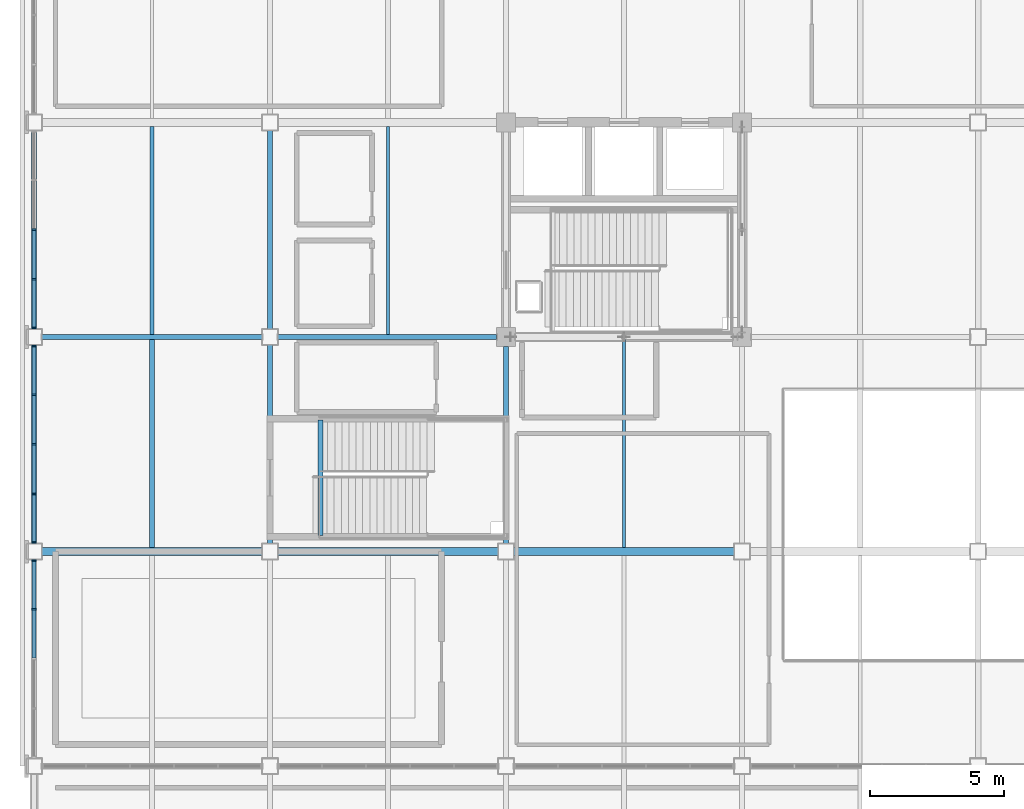
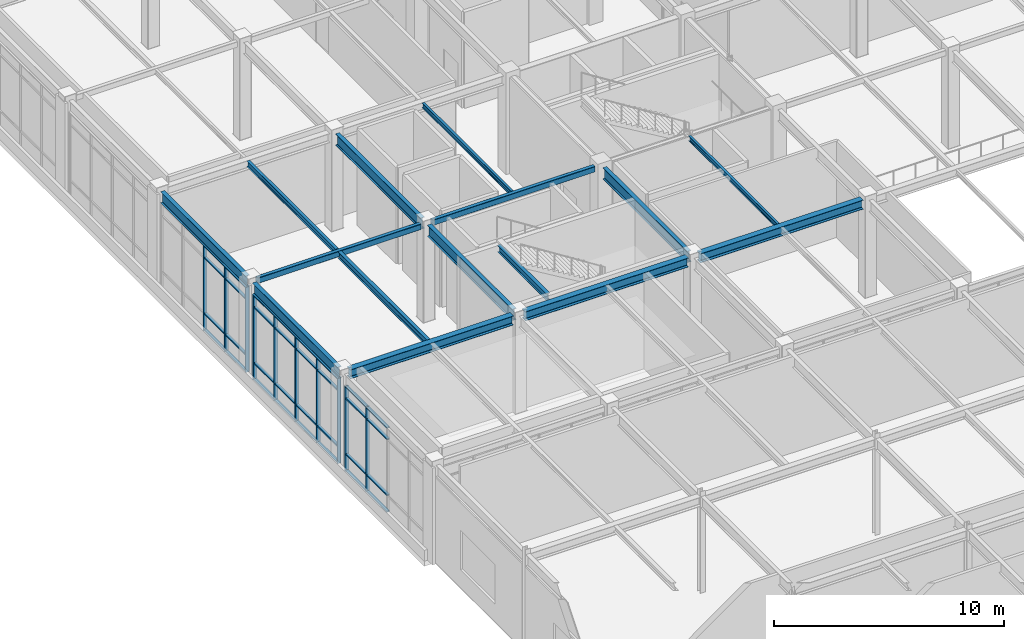
# One storey, part 36 of 184: 42 members, 15 beams, 3 elements without a shape of their own.
"""IFC4 building model written with IfcOpenShell, lengths in metres."""

from ifc_helpers import new_model, si_unit, direction, frame, origin, origin_2d, place, context, subcontext, project, spatial, rectangle, hollow_rectangle, i_section, extrude, material, material_profile, profile_set, type_object, element, aggregate, save


model = new_model("IFC4")

# Units and contexts
model_context = context("Model", 3, precision=1e-05, world=origin(), true_north=direction((0.0, 1.0)))
body_context = subcontext(model_context, "Body", "Model", "MODEL_VIEW")
ifc_project = project(units=[si_unit("LENGTHUNIT", "METRE"), si_unit("AREAUNIT", "SQUARE_METRE"), si_unit("VOLUMEUNIT", "CUBIC_METRE"), si_unit("PLANEANGLEUNIT", "RADIAN"), si_unit("MASSUNIT", "GRAM", prefix="KILO")], contexts=[model_context])

# Site, building, storey
site_placement = place(None, origin())
site = spatial("IfcSite", under=ifc_project, at=site_placement, CompositionType="ELEMENT")
building_placement = place(site_placement, origin())
building = spatial("IfcBuilding", under=site, at=building_placement, Name="Zhaolan Boulevard Law Courts", CompositionType="ELEMENT")
storey_placement = place(building_placement, frame((0.0, 0.0, 5.39990234375)))
storey = spatial("IfcBuildingStorey", under=building, at=storey_placement, Name="L01", CompositionType="ELEMENT", Elevation=5.39990234375)

# Curtain wall, members
ifc_material_1 = material(Name="Thermally broken aluminium and low-E glazing", Category="aluminium")
curtain_wall_type_1 = type_object("IfcCurtainWallType", Name="CURTAIN WALL M19", PredefinedType="USERDEFINED", material=ifc_material_1)
curtain_wall_1_placement = place(storey_placement, origin())
curtain_wall_1 = element("IfcCurtainWall", 1, at=curtain_wall_1_placement, inside=storey, type_object=curtain_wall_type_1, Name="Curtain Wall CW-L01-139", ObjectType="CURTAIN WALL", PredefinedType="USERDEFINED")
ifc_material_2 = material(Name="Fluorocarbon-coated aluminium 6063-T6", Category="aluminium")
ifc_material_profile_1 = material_profile(ifc_material_2, rectangle(XDim=0.179931640625, YDim=0.06494140625, at=origin_2d()), Name="AL65x180")
ifc_profile_set_1 = profile_set([ifc_material_profile_1], Name="Fluorocarbon-coated aluminium 6063-T6")
member_type_1 = type_object("IfcMemberType", Name="CWMULLION 65X180", PredefinedType="MULLION", material=ifc_profile_set_1)
member_1_placement = place(storey_placement, frame((0.0, 37.66552734375, 0.0), z_axis=(0.0, 0.0, 1.0), x_axis=(1.0, 0.0, 0.0)))
member_1 = element("IfcMember", 2, at=member_1_placement, type_object=member_type_1, Name="CW-L01-139 mullion 1", PredefinedType="MULLION", context=body_context, shape_type="SweptSolid", body=[
    extrude(rectangle(XDim=0.179931640625, YDim=0.06494140625, at=origin_2d()), origin(), (0.0, 0.0, 1.0), 4.523193359375),
])
member_2_placement = place(storey_placement, frame((0.0, 35.84912109375, 0.0), z_axis=(0.0, 0.0, 1.0), x_axis=(1.0, 0.0, 0.0)))
member_2 = element("IfcMember", 3, at=member_2_placement, type_object=member_type_1, Name="CW-L01-139 mullion 2", PredefinedType="MULLION", context=body_context, shape_type="SweptSolid", body=[
    extrude(rectangle(XDim=0.179931640625, YDim=0.06494140625, at=origin_2d()), origin(), (0.0, 0.0, 1.0), 4.523193359375),
])

ifc_material_3 = material(Name="Thermally broken aluminium and low-E glazing", Category="aluminium")
curtain_wall_type_2 = type_object("IfcCurtainWallType", Name="CURTAIN WALL M20", PredefinedType="USERDEFINED", material=ifc_material_3)
curtain_wall_2_placement = place(storey_placement, origin())
curtain_wall_2 = element("IfcCurtainWall", 4, at=curtain_wall_2_placement, inside=storey, type_object=curtain_wall_type_2, Name="Curtain Wall CW-L01-140", ObjectType="CURTAIN WALL", PredefinedType="USERDEFINED")
member_3_placement = place(storey_placement, frame((0.0, 45.66552734375, 0.0), z_axis=(0.0, 0.0, 1.0), x_axis=(1.0, 0.0, 0.0)))
member_3 = element("IfcMember", 5, at=member_3_placement, type_object=member_type_1, Name="CW-L01-140 mullion 1", PredefinedType="MULLION", context=body_context, shape_type="SweptSolid", body=[
    extrude(rectangle(XDim=0.179931640625, YDim=0.06494140625, at=origin_2d()), origin(), (0.0, 0.0, 1.0), 4.523193359375),
])
member_4_placement = place(storey_placement, frame((0.0, 43.84912109375, 0.0), z_axis=(0.0, 0.0, 1.0), x_axis=(1.0, 0.0, 0.0)))
member_4 = element("IfcMember", 6, at=member_4_placement, type_object=member_type_1, Name="CW-L01-140 mullion 2", PredefinedType="MULLION", context=body_context, shape_type="SweptSolid", body=[
    extrude(rectangle(XDim=0.179931640625, YDim=0.06494140625, at=origin_2d()), origin(), (0.0, 0.0, 1.0), 4.523193359375),
])
member_5_placement = place(storey_placement, frame((0.0, 42.0, 0.0), z_axis=(0.0, 0.0, 1.0), x_axis=(1.0, 0.0, 0.0)))
member_5 = element("IfcMember", 7, at=member_5_placement, type_object=member_type_1, Name="CW-L01-140 mullion 3", PredefinedType="MULLION", context=body_context, shape_type="SweptSolid", body=[
    extrude(rectangle(XDim=0.179931640625, YDim=0.06494140625, at=origin_2d()), origin(), (0.0, 0.0, 1.0), 4.523193359375),
])
member_6_placement = place(storey_placement, frame((0.0, 40.15087890625, 0.0), z_axis=(0.0, 0.0, 1.0), x_axis=(1.0, 0.0, 0.0)))
member_6 = element("IfcMember", 8, at=member_6_placement, type_object=member_type_1, Name="CW-L01-140 mullion 4", PredefinedType="MULLION", context=body_context, shape_type="SweptSolid", body=[
    extrude(rectangle(XDim=0.179931640625, YDim=0.06494140625, at=origin_2d()), origin(), (0.0, 0.0, 1.0), 4.523193359375),
])
member_7_placement = place(storey_placement, frame((0.0, 38.33447265625, 0.0), z_axis=(0.0, 0.0, 1.0), x_axis=(1.0, 0.0, 0.0)))
member_7 = element("IfcMember", 9, at=member_7_placement, type_object=member_type_1, Name="CW-L01-140 mullion 5", PredefinedType="MULLION", context=body_context, shape_type="SweptSolid", body=[
    extrude(rectangle(XDim=0.179931640625, YDim=0.06494140625, at=origin_2d()), origin(), (0.0, 0.0, 1.0), 4.523193359375),
])

ifc_material_4 = material(Name="Thermally broken aluminium and low-E glazing", Category="aluminium")
curtain_wall_type_3 = type_object("IfcCurtainWallType", Name="CURTAIN WALL M21", PredefinedType="USERDEFINED", material=ifc_material_4)
curtain_wall_3_placement = place(storey_placement, origin())
curtain_wall_3 = element("IfcCurtainWall", 10, at=curtain_wall_3_placement, inside=storey, type_object=curtain_wall_type_3, Name="Curtain Wall CW-L01-141", ObjectType="CURTAIN WALL", PredefinedType="USERDEFINED")
member_8_placement = place(storey_placement, frame((0.0, 50.0, 0.0), z_axis=(0.0, 0.0, 1.0), x_axis=(1.0, 0.0, 0.0)))
member_8 = element("IfcMember", 11, at=member_8_placement, type_object=member_type_1, Name="CW-L01-141 mullion 3", PredefinedType="MULLION", context=body_context, shape_type="SweptSolid", body=[
    extrude(rectangle(XDim=0.179931640625, YDim=0.06494140625, at=origin_2d()), origin(), (0.0, 0.0, 1.0), 4.523193359375),
])
member_9_placement = place(storey_placement, frame((0.0, 48.15087890625, 0.0), z_axis=(0.0, 0.0, 1.0), x_axis=(1.0, 0.0, 0.0)))
member_9 = element("IfcMember", 12, at=member_9_placement, type_object=member_type_1, Name="CW-L01-141 mullion 4", PredefinedType="MULLION", context=body_context, shape_type="SweptSolid", body=[
    extrude(rectangle(XDim=0.179931640625, YDim=0.06494140625, at=origin_2d()), origin(), (0.0, 0.0, 1.0), 4.523193359375),
])
member_10_placement = place(storey_placement, frame((0.0, 46.33447265625, 0.0), z_axis=(0.0, 0.0, 1.0), x_axis=(1.0, 0.0, 0.0)))
member_10 = element("IfcMember", 13, at=member_10_placement, type_object=member_type_1, Name="CW-L01-141 mullion 5", PredefinedType="MULLION", context=body_context, shape_type="SweptSolid", body=[
    extrude(rectangle(XDim=0.179931640625, YDim=0.06494140625, at=origin_2d()), origin(), (0.0, 0.0, 1.0), 4.523193359375),
])

# Member
ifc_material_5 = material(Name="Fluorocarbon-coated aluminium 6063-T6", Category="aluminium")
ifc_material_profile_2 = material_profile(ifc_material_5, rectangle(XDim=0.139892578125, YDim=0.06494140625, at=origin_2d()), Name="AL65x140")
ifc_profile_set_2 = profile_set([ifc_material_profile_2], Name="Fluorocarbon-coated aluminium 6063-T6")
member_type_2 = type_object("IfcMemberType", Name="CWTRANSOM 65X140", PredefinedType="USERDEFINED", material=ifc_profile_set_2)
member_11_placement = place(storey_placement, frame((0.0, 37.633056640625, 0.03271484375), z_axis=(0.0, -1.0, 0.0), x_axis=(1.0, 0.0, 0.0)))
member_11 = element("IfcMember", 14, at=member_11_placement, type_object=member_type_2, Name="CW-L01-139 transom 1.1", ObjectType="TRANSOM", PredefinedType="USERDEFINED", context=body_context, shape_type="SweptSolid", body=[
    extrude(rectangle(XDim=0.139892578125, YDim=0.06494140625, at=origin_2d()), origin(), (0.0, 0.0, 1.0), 1.75146484375),
])

member_12_placement = place(storey_placement, frame((0.0, 37.633056640625, 0.900146484375), z_axis=(0.0, -1.0, 0.0), x_axis=(1.0, 0.0, 0.0)))
member_12 = element("IfcMember", 15, at=member_12_placement, type_object=member_type_2, Name="CW-L01-139 transom 1.2", ObjectType="TRANSOM", PredefinedType="USERDEFINED", context=body_context, shape_type="SweptSolid", body=[
    extrude(rectangle(XDim=0.139892578125, YDim=0.06494140625, at=origin_2d()), origin(), (0.0, 0.0, 1.0), 1.75146484375),
])

member_13_placement = place(storey_placement, frame((0.0, 37.633056640625, 3.873046875), z_axis=(0.0, -1.0, 0.0), x_axis=(1.0, 0.0, 0.0)))
member_13 = element("IfcMember", 16, at=member_13_placement, type_object=member_type_2, Name="CW-L01-139 transom 1.3", ObjectType="TRANSOM", PredefinedType="USERDEFINED", context=body_context, shape_type="SweptSolid", body=[
    extrude(rectangle(XDim=0.139892578125, YDim=0.06494140625, at=origin_2d()), origin(), (0.0, 0.0, 1.0), 1.75146484375),
])

member_14_placement = place(storey_placement, frame((0.0, 37.633056640625, 4.490478515625), z_axis=(0.0, -1.0, 0.0), x_axis=(1.0, 0.0, 0.0)))
member_14 = element("IfcMember", 17, at=member_14_placement, type_object=member_type_2, Name="CW-L01-139 transom 1.4", ObjectType="TRANSOM", PredefinedType="USERDEFINED", context=body_context, shape_type="SweptSolid", body=[
    extrude(rectangle(XDim=0.139892578125, YDim=0.06494140625, at=origin_2d()), origin(), (0.0, 0.0, 1.0), 1.75146484375),
])

member_15_placement = place(storey_placement, frame((0.0, 35.81640625, 0.03271484375), z_axis=(0.0, -1.0, 0.0), x_axis=(1.0, 0.0, 0.0)))
member_15 = element("IfcMember", 18, at=member_15_placement, type_object=member_type_2, Name="CW-L01-139 transom 2.1", ObjectType="TRANSOM", PredefinedType="USERDEFINED", context=body_context, shape_type="SweptSolid", body=[
    extrude(rectangle(XDim=0.139892578125, YDim=0.06494140625, at=origin_2d()), origin(), (0.0, 0.0, 1.0), 1.783935546875),
])

member_16_placement = place(storey_placement, frame((0.0, 35.81640625, 0.900146484375), z_axis=(0.0, -1.0, 0.0), x_axis=(1.0, 0.0, 0.0)))
member_16 = element("IfcMember", 19, at=member_16_placement, type_object=member_type_2, Name="CW-L01-139 transom 2.2", ObjectType="TRANSOM", PredefinedType="USERDEFINED", context=body_context, shape_type="SweptSolid", body=[
    extrude(rectangle(XDim=0.139892578125, YDim=0.06494140625, at=origin_2d()), origin(), (0.0, 0.0, 1.0), 1.783935546875),
])

member_17_placement = place(storey_placement, frame((0.0, 35.81640625, 3.873046875), z_axis=(0.0, -1.0, 0.0), x_axis=(1.0, 0.0, 0.0)))
member_17 = element("IfcMember", 20, at=member_17_placement, type_object=member_type_2, Name="CW-L01-139 transom 2.3", ObjectType="TRANSOM", PredefinedType="USERDEFINED", context=body_context, shape_type="SweptSolid", body=[
    extrude(rectangle(XDim=0.139892578125, YDim=0.06494140625, at=origin_2d()), origin(), (0.0, 0.0, 1.0), 1.783935546875),
])

member_18_placement = place(storey_placement, frame((0.0, 35.81640625, 4.490478515625), z_axis=(0.0, -1.0, 0.0), x_axis=(1.0, 0.0, 0.0)))
member_18 = element("IfcMember", 21, at=member_18_placement, type_object=member_type_2, Name="CW-L01-139 transom 2.4", ObjectType="TRANSOM", PredefinedType="USERDEFINED", context=body_context, shape_type="SweptSolid", body=[
    extrude(rectangle(XDim=0.139892578125, YDim=0.06494140625, at=origin_2d()), origin(), (0.0, 0.0, 1.0), 1.783935546875),
])

aggregate(curtain_wall_1, [member_1, member_2, member_11, member_12, member_13, member_14, member_15, member_16, member_17, member_18])

member_19_placement = place(storey_placement, frame((0.0, 45.633056640625, 0.03271484375), z_axis=(0.0, -1.0, 0.0), x_axis=(1.0, 0.0, 0.0)))
member_19 = element("IfcMember", 22, at=member_19_placement, type_object=member_type_2, Name="CW-L01-140 transom 1.1", ObjectType="TRANSOM", PredefinedType="USERDEFINED", context=body_context, shape_type="SweptSolid", body=[
    extrude(rectangle(XDim=0.139892578125, YDim=0.06494140625, at=origin_2d()), origin(), (0.0, 0.0, 1.0), 1.75146484375),
])

member_20_placement = place(storey_placement, frame((0.0, 45.633056640625, 0.900146484375), z_axis=(0.0, -1.0, 0.0), x_axis=(1.0, 0.0, 0.0)))
member_20 = element("IfcMember", 23, at=member_20_placement, type_object=member_type_2, Name="CW-L01-140 transom 1.2", ObjectType="TRANSOM", PredefinedType="USERDEFINED", context=body_context, shape_type="SweptSolid", body=[
    extrude(rectangle(XDim=0.139892578125, YDim=0.06494140625, at=origin_2d()), origin(), (0.0, 0.0, 1.0), 1.75146484375),
])

member_21_placement = place(storey_placement, frame((0.0, 45.633056640625, 3.873046875), z_axis=(0.0, -1.0, 0.0), x_axis=(1.0, 0.0, 0.0)))
member_21 = element("IfcMember", 24, at=member_21_placement, type_object=member_type_2, Name="CW-L01-140 transom 1.3", ObjectType="TRANSOM", PredefinedType="USERDEFINED", context=body_context, shape_type="SweptSolid", body=[
    extrude(rectangle(XDim=0.139892578125, YDim=0.06494140625, at=origin_2d()), origin(), (0.0, 0.0, 1.0), 1.75146484375),
])

member_22_placement = place(storey_placement, frame((0.0, 45.633056640625, 4.490478515625), z_axis=(0.0, -1.0, 0.0), x_axis=(1.0, 0.0, 0.0)))
member_22 = element("IfcMember", 25, at=member_22_placement, type_object=member_type_2, Name="CW-L01-140 transom 1.4", ObjectType="TRANSOM", PredefinedType="USERDEFINED", context=body_context, shape_type="SweptSolid", body=[
    extrude(rectangle(XDim=0.139892578125, YDim=0.06494140625, at=origin_2d()), origin(), (0.0, 0.0, 1.0), 1.75146484375),
])

member_23_placement = place(storey_placement, frame((0.0, 43.81640625, 0.03271484375), z_axis=(0.0, -1.0, 0.0), x_axis=(1.0, 0.0, 0.0)))
member_23 = element("IfcMember", 26, at=member_23_placement, type_object=member_type_2, Name="CW-L01-140 transom 2.1", ObjectType="TRANSOM", PredefinedType="USERDEFINED", context=body_context, shape_type="SweptSolid", body=[
    extrude(rectangle(XDim=0.139892578125, YDim=0.06494140625, at=origin_2d()), origin(), (0.0, 0.0, 1.0), 1.783935546875),
])

member_24_placement = place(storey_placement, frame((0.0, 43.81640625, 0.900146484375), z_axis=(0.0, -1.0, 0.0), x_axis=(1.0, 0.0, 0.0)))
member_24 = element("IfcMember", 27, at=member_24_placement, type_object=member_type_2, Name="CW-L01-140 transom 2.2", ObjectType="TRANSOM", PredefinedType="USERDEFINED", context=body_context, shape_type="SweptSolid", body=[
    extrude(rectangle(XDim=0.139892578125, YDim=0.06494140625, at=origin_2d()), origin(), (0.0, 0.0, 1.0), 1.783935546875),
])

member_25_placement = place(storey_placement, frame((0.0, 43.81640625, 3.873046875), z_axis=(0.0, -1.0, 0.0), x_axis=(1.0, 0.0, 0.0)))
member_25 = element("IfcMember", 28, at=member_25_placement, type_object=member_type_2, Name="CW-L01-140 transom 2.3", ObjectType="TRANSOM", PredefinedType="USERDEFINED", context=body_context, shape_type="SweptSolid", body=[
    extrude(rectangle(XDim=0.139892578125, YDim=0.06494140625, at=origin_2d()), origin(), (0.0, 0.0, 1.0), 1.783935546875),
])

member_26_placement = place(storey_placement, frame((0.0, 43.81640625, 4.490478515625), z_axis=(0.0, -1.0, 0.0), x_axis=(1.0, 0.0, 0.0)))
member_26 = element("IfcMember", 29, at=member_26_placement, type_object=member_type_2, Name="CW-L01-140 transom 2.4", ObjectType="TRANSOM", PredefinedType="USERDEFINED", context=body_context, shape_type="SweptSolid", body=[
    extrude(rectangle(XDim=0.139892578125, YDim=0.06494140625, at=origin_2d()), origin(), (0.0, 0.0, 1.0), 1.783935546875),
])

member_27_placement = place(storey_placement, frame((0.0, 41.967529296875, 0.03271484375), z_axis=(0.0, -1.0, 0.0), x_axis=(1.0, 0.0, 0.0)))
member_27 = element("IfcMember", 30, at=member_27_placement, type_object=member_type_2, Name="CW-L01-140 transom 3.1", ObjectType="TRANSOM", PredefinedType="USERDEFINED", context=body_context, shape_type="SweptSolid", body=[
    extrude(rectangle(XDim=0.139892578125, YDim=0.06494140625, at=origin_2d()), origin(), (0.0, 0.0, 1.0), 1.783935546875),
])

member_28_placement = place(storey_placement, frame((0.0, 41.967529296875, 0.900146484375), z_axis=(0.0, -1.0, 0.0), x_axis=(1.0, 0.0, 0.0)))
member_28 = element("IfcMember", 31, at=member_28_placement, type_object=member_type_2, Name="CW-L01-140 transom 3.2", ObjectType="TRANSOM", PredefinedType="USERDEFINED", context=body_context, shape_type="SweptSolid", body=[
    extrude(rectangle(XDim=0.139892578125, YDim=0.06494140625, at=origin_2d()), origin(), (0.0, 0.0, 1.0), 1.783935546875),
])

member_29_placement = place(storey_placement, frame((0.0, 41.967529296875, 3.873046875), z_axis=(0.0, -1.0, 0.0), x_axis=(1.0, 0.0, 0.0)))
member_29 = element("IfcMember", 32, at=member_29_placement, type_object=member_type_2, Name="CW-L01-140 transom 3.3", ObjectType="TRANSOM", PredefinedType="USERDEFINED", context=body_context, shape_type="SweptSolid", body=[
    extrude(rectangle(XDim=0.139892578125, YDim=0.06494140625, at=origin_2d()), origin(), (0.0, 0.0, 1.0), 1.783935546875),
])

member_30_placement = place(storey_placement, frame((0.0, 41.967529296875, 4.490478515625), z_axis=(0.0, -1.0, 0.0), x_axis=(1.0, 0.0, 0.0)))
member_30 = element("IfcMember", 33, at=member_30_placement, type_object=member_type_2, Name="CW-L01-140 transom 3.4", ObjectType="TRANSOM", PredefinedType="USERDEFINED", context=body_context, shape_type="SweptSolid", body=[
    extrude(rectangle(XDim=0.139892578125, YDim=0.06494140625, at=origin_2d()), origin(), (0.0, 0.0, 1.0), 1.783935546875),
])

member_31_placement = place(storey_placement, frame((0.0, 40.118408203125, 0.03271484375), z_axis=(0.0, -1.0, 0.0), x_axis=(1.0, 0.0, 0.0)))
member_31 = element("IfcMember", 34, at=member_31_placement, type_object=member_type_2, Name="CW-L01-140 transom 4.1", ObjectType="TRANSOM", PredefinedType="USERDEFINED", context=body_context, shape_type="SweptSolid", body=[
    extrude(rectangle(XDim=0.139892578125, YDim=0.06494140625, at=origin_2d()), origin(), (0.0, 0.0, 1.0), 1.75146484375),
])

member_32_placement = place(storey_placement, frame((0.0, 40.118408203125, 0.900146484375), z_axis=(0.0, -1.0, 0.0), x_axis=(1.0, 0.0, 0.0)))
member_32 = element("IfcMember", 35, at=member_32_placement, type_object=member_type_2, Name="CW-L01-140 transom 4.2", ObjectType="TRANSOM", PredefinedType="USERDEFINED", context=body_context, shape_type="SweptSolid", body=[
    extrude(rectangle(XDim=0.139892578125, YDim=0.06494140625, at=origin_2d()), origin(), (0.0, 0.0, 1.0), 1.75146484375),
])

member_33_placement = place(storey_placement, frame((0.0, 40.118408203125, 3.873046875), z_axis=(0.0, -1.0, 0.0), x_axis=(1.0, 0.0, 0.0)))
member_33 = element("IfcMember", 36, at=member_33_placement, type_object=member_type_2, Name="CW-L01-140 transom 4.3", ObjectType="TRANSOM", PredefinedType="USERDEFINED", context=body_context, shape_type="SweptSolid", body=[
    extrude(rectangle(XDim=0.139892578125, YDim=0.06494140625, at=origin_2d()), origin(), (0.0, 0.0, 1.0), 1.75146484375),
])

member_34_placement = place(storey_placement, frame((0.0, 40.118408203125, 4.490478515625), z_axis=(0.0, -1.0, 0.0), x_axis=(1.0, 0.0, 0.0)))
member_34 = element("IfcMember", 37, at=member_34_placement, type_object=member_type_2, Name="CW-L01-140 transom 4.4", ObjectType="TRANSOM", PredefinedType="USERDEFINED", context=body_context, shape_type="SweptSolid", body=[
    extrude(rectangle(XDim=0.139892578125, YDim=0.06494140625, at=origin_2d()), origin(), (0.0, 0.0, 1.0), 1.75146484375),
])

aggregate(curtain_wall_2, [member_3, member_4, member_5, member_6, member_7, member_19, member_20, member_21, member_22, member_23, member_24, member_25, member_26, member_27, member_28, member_29, member_30, member_31, member_32, member_33, member_34])

member_35_placement = place(storey_placement, frame((0.0, 49.967529296875, 0.03271484375), z_axis=(0.0, -1.0, 0.0), x_axis=(1.0, 0.0, 0.0)))
member_35 = element("IfcMember", 38, at=member_35_placement, type_object=member_type_2, Name="CW-L01-141 transom 3.1", ObjectType="TRANSOM", PredefinedType="USERDEFINED", context=body_context, shape_type="SweptSolid", body=[
    extrude(rectangle(XDim=0.139892578125, YDim=0.06494140625, at=origin_2d()), origin(), (0.0, 0.0, 1.0), 1.783935546875),
])

member_36_placement = place(storey_placement, frame((0.0, 49.967529296875, 0.900146484375), z_axis=(0.0, -1.0, 0.0), x_axis=(1.0, 0.0, 0.0)))
member_36 = element("IfcMember", 39, at=member_36_placement, type_object=member_type_2, Name="CW-L01-141 transom 3.2", ObjectType="TRANSOM", PredefinedType="USERDEFINED", context=body_context, shape_type="SweptSolid", body=[
    extrude(rectangle(XDim=0.139892578125, YDim=0.06494140625, at=origin_2d()), origin(), (0.0, 0.0, 1.0), 1.783935546875),
])

member_37_placement = place(storey_placement, frame((0.0, 49.967529296875, 3.873046875), z_axis=(0.0, -1.0, 0.0), x_axis=(1.0, 0.0, 0.0)))
member_37 = element("IfcMember", 40, at=member_37_placement, type_object=member_type_2, Name="CW-L01-141 transom 3.3", ObjectType="TRANSOM", PredefinedType="USERDEFINED", context=body_context, shape_type="SweptSolid", body=[
    extrude(rectangle(XDim=0.139892578125, YDim=0.06494140625, at=origin_2d()), origin(), (0.0, 0.0, 1.0), 1.783935546875),
])

member_38_placement = place(storey_placement, frame((0.0, 49.967529296875, 4.490478515625), z_axis=(0.0, -1.0, 0.0), x_axis=(1.0, 0.0, 0.0)))
member_38 = element("IfcMember", 41, at=member_38_placement, type_object=member_type_2, Name="CW-L01-141 transom 3.4", ObjectType="TRANSOM", PredefinedType="USERDEFINED", context=body_context, shape_type="SweptSolid", body=[
    extrude(rectangle(XDim=0.139892578125, YDim=0.06494140625, at=origin_2d()), origin(), (0.0, 0.0, 1.0), 1.783935546875),
])

member_39_placement = place(storey_placement, frame((0.0, 48.118408203125, 0.03271484375), z_axis=(0.0, -1.0, 0.0), x_axis=(1.0, 0.0, 0.0)))
member_39 = element("IfcMember", 42, at=member_39_placement, type_object=member_type_2, Name="CW-L01-141 transom 4.1", ObjectType="TRANSOM", PredefinedType="USERDEFINED", context=body_context, shape_type="SweptSolid", body=[
    extrude(rectangle(XDim=0.139892578125, YDim=0.06494140625, at=origin_2d()), origin(), (0.0, 0.0, 1.0), 1.75146484375),
])

member_40_placement = place(storey_placement, frame((0.0, 48.118408203125, 0.900146484375), z_axis=(0.0, -1.0, 0.0), x_axis=(1.0, 0.0, 0.0)))
member_40 = element("IfcMember", 43, at=member_40_placement, type_object=member_type_2, Name="CW-L01-141 transom 4.2", ObjectType="TRANSOM", PredefinedType="USERDEFINED", context=body_context, shape_type="SweptSolid", body=[
    extrude(rectangle(XDim=0.139892578125, YDim=0.06494140625, at=origin_2d()), origin(), (0.0, 0.0, 1.0), 1.75146484375),
])

member_41_placement = place(storey_placement, frame((0.0, 48.118408203125, 3.873046875), z_axis=(0.0, -1.0, 0.0), x_axis=(1.0, 0.0, 0.0)))
member_41 = element("IfcMember", 44, at=member_41_placement, type_object=member_type_2, Name="CW-L01-141 transom 4.3", ObjectType="TRANSOM", PredefinedType="USERDEFINED", context=body_context, shape_type="SweptSolid", body=[
    extrude(rectangle(XDim=0.139892578125, YDim=0.06494140625, at=origin_2d()), origin(), (0.0, 0.0, 1.0), 1.75146484375),
])

member_42_placement = place(storey_placement, frame((0.0, 48.118408203125, 4.490478515625), z_axis=(0.0, -1.0, 0.0), x_axis=(1.0, 0.0, 0.0)))
member_42 = element("IfcMember", 45, at=member_42_placement, type_object=member_type_2, Name="CW-L01-141 transom 4.4", ObjectType="TRANSOM", PredefinedType="USERDEFINED", context=body_context, shape_type="SweptSolid", body=[
    extrude(rectangle(XDim=0.139892578125, YDim=0.06494140625, at=origin_2d()), origin(), (0.0, 0.0, 1.0), 1.75146484375),
])

aggregate(curtain_wall_3, [member_8, member_9, member_10, member_35, member_36, member_37, member_38, member_39, member_40, member_41, member_42])

# Beams
ifc_material_6 = material(Name="Structural steel Q355B", Category="steel")
ifc_material_profile_3 = material_profile(ifc_material_6, i_section(OverallWidth=0.300048828125, OverallDepth=0.488037109375, WebThickness=0.010986328125, FlangeThickness=0.01806640625, FilletRadius=0.02197265625, at=origin_2d()), Name="HM488x300")
ifc_profile_set_3 = profile_set([ifc_material_profile_3], Name="Structural steel Q355B")
beam_type_1 = type_object("IfcBeamType", Name="GIRDER HM500", PredefinedType="BEAM", material=ifc_profile_set_3)
for number, where, z_axis, x_axis, name in (
    (46, (0.2958984375, 38.0, 4.89404296875), (1.0, 0.0, 0.0), (0.0, 1.0, 0.0), "Beam BX-L02-1-2-F"),
    (47, (9.095947265625, 38.0, 4.89404296875), (1.0, 0.0, 0.0), (0.0, 1.0, 0.0), "Beam BX-L02-2-3-F"),
    (48, (17.89599609375, 38.0, 4.89404296875), (1.0, 0.0, 0.0), (0.0, 1.0, 0.0), "Beam BX-L02-3-4-F"),
):
    element("IfcBeam", number, at=place(storey_placement, frame(where, z_axis=z_axis, x_axis=x_axis)), inside=storey, type_object=beam_type_1, Name=name, PredefinedType="BEAM", context=body_context, shape_type="SweptSolid", body=[
        extrude(i_section(OverallWidth=0.300048828125, OverallDepth=0.488037109375, WebThickness=0.010986328125, FlangeThickness=0.01806640625, FilletRadius=0.02197265625, at=origin_2d()), origin(), (0.0, 0.0, 1.0), 8.2080078125),
    ])
ifc_material_7 = material(Name="Structural steel Q355B", Category="steel")
ifc_material_profile_4 = material_profile(ifc_material_7, i_section(OverallWidth=0.199951171875, OverallDepth=0.60009765625, WebThickness=0.010986328125, FlangeThickness=0.01708984375, FilletRadius=0.02001953125, at=origin_2d()), Name="HN600x200")
ifc_profile_set_4 = profile_set([ifc_material_profile_4], Name="Structural steel Q355B")
beam_type_2 = type_object("IfcBeamType", Name="GIRDER HN600", PredefinedType="BEAM", material=ifc_profile_set_4)
for number, where, z_axis, x_axis, name in (
    (49, (0.0, 38.2958984375, 4.838134765625), (0.0, 1.0, 0.0), (-1.0, 0.0, 0.0), "Beam BY-L02-1-F-G"),
    (50, (0.0, 46.2958984375, 4.838134765625), (0.0, 1.0, 0.0), (-1.0, 0.0, 0.0), "Beam BY-L02-1-G-H"),
    (51, (8.800048828125, 38.2958984375, 4.838134765625), (0.0, 1.0, 0.0), (-1.0, 0.0, 0.0), "Beam BY-L02-2-F-G"),
    (52, (8.800048828125, 46.2958984375, 4.838134765625), (0.0, 1.0, 0.0), (-1.0, 0.0, 0.0), "Beam BY-L02-2-G-H"),
):
    element("IfcBeam", number, at=place(storey_placement, frame(where, z_axis=z_axis, x_axis=x_axis)), inside=storey, type_object=beam_type_2, Name=name, PredefinedType="BEAM", context=body_context, shape_type="SweptSolid", body=[
        extrude(i_section(OverallWidth=0.199951171875, OverallDepth=0.60009765625, WebThickness=0.010986328125, FlangeThickness=0.01708984375, FilletRadius=0.02001953125, at=origin_2d()), origin(), (0.0, 0.0, 1.0), 7.408203125),
    ])
beam_1_placement = place(storey_placement, frame((17.60009765625, 38.2958984375, 4.838134765625), z_axis=(0.0, 1.0, 0.0), x_axis=(-1.0, 0.0, 0.0)))
element("IfcBeam", 53, at=beam_1_placement, inside=storey, type_object=beam_type_2, Name="Beam BY-L02-3-F-G", PredefinedType="BEAM", context=body_context, shape_type="SweptSolid", body=[
    extrude(i_section(OverallWidth=0.199951171875, OverallDepth=0.60009765625, WebThickness=0.010986328125, FlangeThickness=0.01708984375, FilletRadius=0.02001953125, at=origin_2d()), origin(), (0.0, 0.0, 1.0), 7.358154296875),
])
ifc_material_8 = material(Name="Structural steel Q355B", Category="steel")
ifc_material_profile_5 = material_profile(ifc_material_8, i_section(OverallWidth=0.125, OverallDepth=0.25, WebThickness=0.006103515625, FlangeThickness=0.009033203125, FilletRadius=0.010009765625, at=origin_2d()), Name="HN250x125")
ifc_profile_set_5 = profile_set([ifc_material_profile_5], Name="Structural steel Q355B")
beam_type_3 = type_object("IfcBeamType", Name="JOIST HN250", PredefinedType="JOIST", material=ifc_profile_set_5)
for number, where, z_axis, x_axis, name in (
    (54, (13.199951171875, 46.095947265625, 5.01318359375), (0.0, 1.0, 0.0), (-1.0, 0.0, 0.0), "Composite Joist J-L02-2G"),
    (55, (22.0, 38.14599609375, 5.01318359375), (0.0, 1.0, 0.0), (-1.0, 0.0, 0.0), "Composite Joist J-L02-3F"),
):
    element("IfcBeam", number, at=place(storey_placement, frame(where, z_axis=z_axis, x_axis=x_axis)), inside=storey, type_object=beam_type_3, Name=name, PredefinedType="JOIST", context=body_context, shape_type="SweptSolid", body=[
        extrude(i_section(OverallWidth=0.125, OverallDepth=0.25, WebThickness=0.006103515625, FlangeThickness=0.009033203125, FilletRadius=0.010009765625, at=origin_2d()), origin(), (0.0, 0.0, 1.0), 7.758056640625),
    ])
ifc_material_9 = material(Name="Structural steel Q355B", Category="steel")
ifc_material_profile_6 = material_profile(ifc_material_9, i_section(OverallWidth=0.14990234375, OverallDepth=0.300048828125, WebThickness=0.006591796875, FlangeThickness=0.009033203125, FilletRadius=0.010986328125, at=origin_2d()), Name="HN300x150")
ifc_profile_set_6 = profile_set([ifc_material_profile_6], Name="Structural steel Q355B")
beam_type_4 = type_object("IfcBeamType", Name="JOIST HN300", PredefinedType="JOIST", material=ifc_profile_set_6)
beam_2_placement = place(storey_placement, frame((4.39990234375, 46.095947265625, 4.988037109375), z_axis=(0.0, 1.0, 0.0), x_axis=(-1.0, 0.0, 0.0)))
element("IfcBeam", 56, at=beam_2_placement, inside=storey, type_object=beam_type_4, Name="Composite Joist J-L02-1G", PredefinedType="JOIST", context=body_context, shape_type="SweptSolid", body=[
    extrude(i_section(OverallWidth=0.14990234375, OverallDepth=0.300048828125, WebThickness=0.006591796875, FlangeThickness=0.009033203125, FilletRadius=0.010986328125, at=origin_2d()), origin(), (0.0, 0.0, 1.0), 7.758056640625),
])
ifc_material_10 = material(Name="Structural steel Q355B", Category="steel")
ifc_material_profile_7 = material_profile(ifc_material_10, i_section(OverallWidth=0.175048828125, OverallDepth=0.35009765625, WebThickness=0.007080078125, FlangeThickness=0.010986328125, FilletRadius=0.012939453125, at=origin_2d()), Name="HN350x175")
ifc_profile_set_7 = profile_set([ifc_material_profile_7], Name="Structural steel Q355B")
beam_type_5 = type_object("IfcBeamType", Name="JOIST HN350", PredefinedType="JOIST", material=ifc_profile_set_7)
beam_3_placement = place(storey_placement, frame((4.39990234375, 38.14599609375, 4.963134765625), z_axis=(0.0, 1.0, 0.0), x_axis=(-1.0, 0.0, 0.0)))
element("IfcBeam", 57, at=beam_3_placement, inside=storey, type_object=beam_type_5, Name="Composite Joist J-L02-1F", PredefinedType="JOIST", context=body_context, shape_type="SweptSolid", body=[
    extrude(i_section(OverallWidth=0.175048828125, OverallDepth=0.35009765625, WebThickness=0.007080078125, FlangeThickness=0.010986328125, FilletRadius=0.012939453125, at=origin_2d()), origin(), (0.0, 0.0, 1.0), 7.758056640625),
])
ifc_material_11 = material(Name="Structural steel Q355B", Category="steel")
ifc_material_profile_8 = material_profile(ifc_material_11, hollow_rectangle(XDim=0.199951171875, YDim=0.300048828125, WallThickness=0.011962890625, InnerFilletRadius=0.011962890625, OuterFilletRadius=0.02392578125, at=origin_2d()), Name="HSS300x200x12")
ifc_profile_set_8 = profile_set([ifc_material_profile_8], Name="Structural steel Q355B")
beam_type_6 = type_object("IfcBeamType", Name="SPANDREL HSS300", PredefinedType="SPANDREL", material=ifc_profile_set_8)
beam_4_placement = place(storey_placement, frame((0.2958984375, 46.0, 4.988037109375), z_axis=(1.0, 0.0, 0.0), x_axis=(0.0, 1.0, 0.0)))
element("IfcBeam", 58, at=beam_4_placement, inside=storey, type_object=beam_type_6, Name="Beam BX-L02-1-2-G", PredefinedType="SPANDREL", context=body_context, shape_type="SweptSolid", body=[
    extrude(hollow_rectangle(XDim=0.199951171875, YDim=0.300048828125, WallThickness=0.011962890625, InnerFilletRadius=0.011962890625, OuterFilletRadius=0.02392578125, at=origin_2d()), origin(), (0.0, 0.0, 1.0), 8.2080078125),
])
beam_5_placement = place(storey_placement, frame((9.095947265625, 46.0, 4.988037109375), z_axis=(1.0, 0.0, 0.0), x_axis=(0.0, 1.0, 0.0)))
element("IfcBeam", 59, at=beam_5_placement, inside=storey, type_object=beam_type_6, Name="Beam BX-L02-2-3-G", PredefinedType="SPANDREL", context=body_context, shape_type="SweptSolid", body=[
    extrude(hollow_rectangle(XDim=0.199951171875, YDim=0.300048828125, WallThickness=0.011962890625, InnerFilletRadius=0.011962890625, OuterFilletRadius=0.02392578125, at=origin_2d()), origin(), (0.0, 0.0, 1.0), 8.157958984375),
])
ifc_material_12 = material(Name="Structural steel Q355B", Category="steel")
ifc_material_profile_9 = material_profile(ifc_material_12, i_section(OverallWidth=0.175048828125, OverallDepth=0.35009765625, WebThickness=0.007080078125, FlangeThickness=0.010986328125, FilletRadius=0.012939453125, at=origin_2d()), Name="HN350x175")
ifc_profile_set_9 = profile_set([ifc_material_profile_9], Name="Structural steel Q355B")
beam_type_7 = type_object("IfcBeamType", Name="STAIR TRIMMER HN350", PredefinedType="BEAM", material=ifc_profile_set_9)
beam_6_placement = place(storey_placement, frame((10.68505859375, 38.60009765625, 4.93505859375), z_axis=(0.0, 1.0, 0.0), x_axis=(-1.0, 0.0, 0.0)))
element("IfcBeam", 60, at=beam_6_placement, inside=storey, type_object=beam_type_7, Name="Stair Landing Trimmer Beam STB-ST03-L02", PredefinedType="BEAM", context=body_context, shape_type="SweptSolid", body=[
    extrude(i_section(OverallWidth=0.175048828125, OverallDepth=0.35009765625, WebThickness=0.007080078125, FlangeThickness=0.010986328125, FilletRadius=0.012939453125, at=origin_2d()), origin(), (0.0, 0.0, 1.0), 4.2998046875),
])

save(model, "model.ifc")
